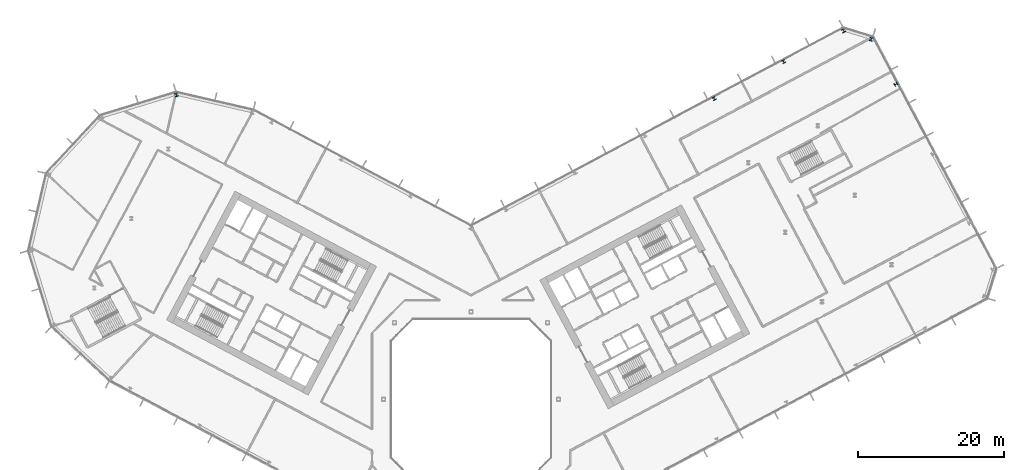
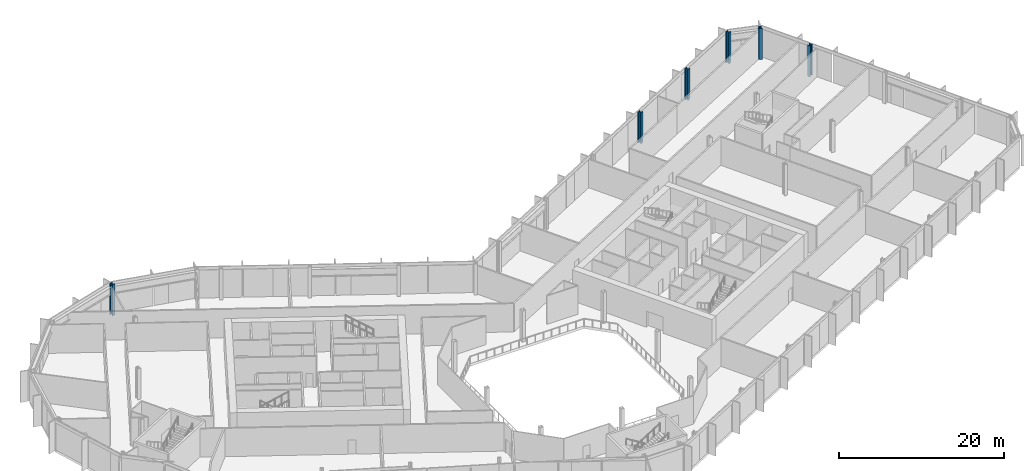
# One storey, part 5 of 31: 6 columns.
"""IFC4 building model written with IfcOpenShell, lengths in metres."""

from ifc_helpers import new_model, si_unit, direction, frame, origin, origin_2d, place, context, subcontext, project, spatial, i_section, extrude, material, material_profile, profile_set, type_object, element, save


model = new_model("IFC4")

# Units and contexts
model_context = context("Model", 3, precision=1e-05, world=origin(), true_north=direction((0.0, 1.0)))
body_context = subcontext(model_context, "Body", "Model", "MODEL_VIEW")
ifc_project = project(units=[si_unit("LENGTHUNIT", "METRE"), si_unit("AREAUNIT", "SQUARE_METRE"), si_unit("VOLUMEUNIT", "CUBIC_METRE"), si_unit("PLANEANGLEUNIT", "RADIAN"), si_unit("MASSUNIT", "GRAM", prefix="KILO")], contexts=[model_context])

# Site, building, storey
site_placement = place(None, origin())
site = spatial("IfcSite", under=ifc_project, at=site_placement, CompositionType="ELEMENT")
building_placement = place(site_placement, origin())
building = spatial("IfcBuilding", under=site, at=building_placement, Name="Cormorant Relay Tower", CompositionType="ELEMENT")
storey_placement = place(building_placement, frame((0.0, 0.0, 103.0)))
storey = spatial("IfcBuildingStorey", under=building, at=storey_placement, Name="L20", CompositionType="ELEMENT", Elevation=103.0)

# Columns
ifc_material_1 = material(Name="Steel ASTM A992 (Fy 345 MPa)", Category="steel")
ifc_material_profile_1 = material_profile(ifc_material_1, i_section(OverallWidth=0.42431640625, OverallDepth=0.47509765625, WebThickness=0.0478515625, FlangeThickness=0.0771484375, FilletRadius=0.014892578125, at=origin_2d()), Name="W360x634")
ifc_profile_set_1 = profile_set([ifc_material_profile_1], Name="Steel ASTM A992 (Fy 345 MPa)")
column_type_1 = type_object("IfcColumnType", Name="Column W360x634", PredefinedType="COLUMN", material=ifc_profile_set_1)
for number, where, z_axis, x_axis, name in (
    (1, (33.342041015625, 41.239990234375, 0.0), (0.0, 0.0, 1.0), (-0.882947592859, -0.469471562786, 0.0), "Column L20-049"),
    (2, (58.2900390625, 43.22509765625, 0.0), (0.0, 0.0, 1.0), (-0.469471562786, 0.882947592859, 0.0), "Column L20-051"),
    (3, (42.876953125, 46.31005859375, 0.0), (0.0, 0.0, 1.0), (-0.882947592859, -0.469471562786, 0.0), "Column L20-052"),
):
    element("IfcColumn", number, at=place(storey_placement, frame(where, z_axis=z_axis, x_axis=x_axis)), inside=storey, type_object=column_type_1, Name=name, PredefinedType="COLUMN", context=body_context, shape_type="SweptSolid", body=[
        extrude(i_section(OverallWidth=0.42431640625, OverallDepth=0.47509765625, WebThickness=0.0478515625, FlangeThickness=0.0771484375, FilletRadius=0.014892578125, at=origin_2d()), origin(), (0.0, 0.0, 1.0), 4.60009765625),
    ])
ifc_material_2 = material(Name="Steel ASTM A992 (Fy 345 MPa)", Category="steel")
ifc_material_profile_2 = material_profile(ifc_material_2, i_section(OverallWidth=0.43701171875, OverallDepth=0.51318359375, WebThickness=0.060546875, FlangeThickness=0.096923828125, FilletRadius=0.015380859375, at=origin_2d()), Name="W360x818")
ifc_profile_set_2 = profile_set([ifc_material_profile_2], Name="Steel ASTM A992 (Fy 345 MPa)")
column_type_2 = type_object("IfcColumnType", Name="Column W360x818", PredefinedType="COLUMN", material=ifc_profile_set_2)
for number, where, z_axis, x_axis, name in (
    (4, (-40.452880859375, 41.763916015625, 0.0), (0.0, 0.0, 1.0), (-0.956304755963, -0.292371704723, 0.0), "Column L20-050"),
    (5, (54.885986328125, 49.409912109375, 0.0), (0.0, 0.0, 1.0), (-0.956304755963, 0.292371704723, 0.0), "Column L20-053"),
    (6, (51.10009765625, 50.56689453125, 0.0), (0.0, 0.0, 1.0), (-0.882947592859, -0.469471562786, 0.0), "Column L20-054"),
):
    element("IfcColumn", number, at=place(storey_placement, frame(where, z_axis=z_axis, x_axis=x_axis)), inside=storey, type_object=column_type_2, Name=name, PredefinedType="COLUMN", context=body_context, shape_type="SweptSolid", body=[
        extrude(i_section(OverallWidth=0.43701171875, OverallDepth=0.51318359375, WebThickness=0.060546875, FlangeThickness=0.096923828125, FilletRadius=0.015380859375, at=origin_2d()), origin(), (0.0, 0.0, 1.0), 4.60009765625),
    ])

save(model, "model.ifc")
